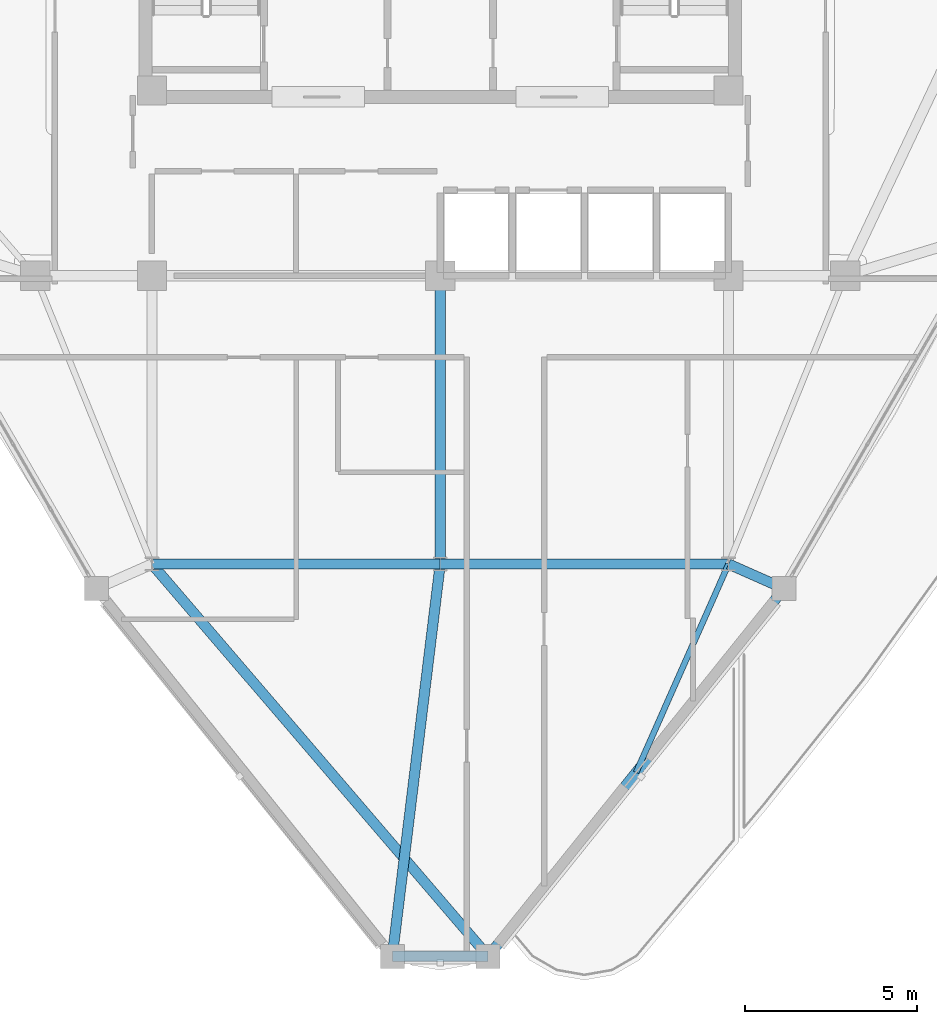
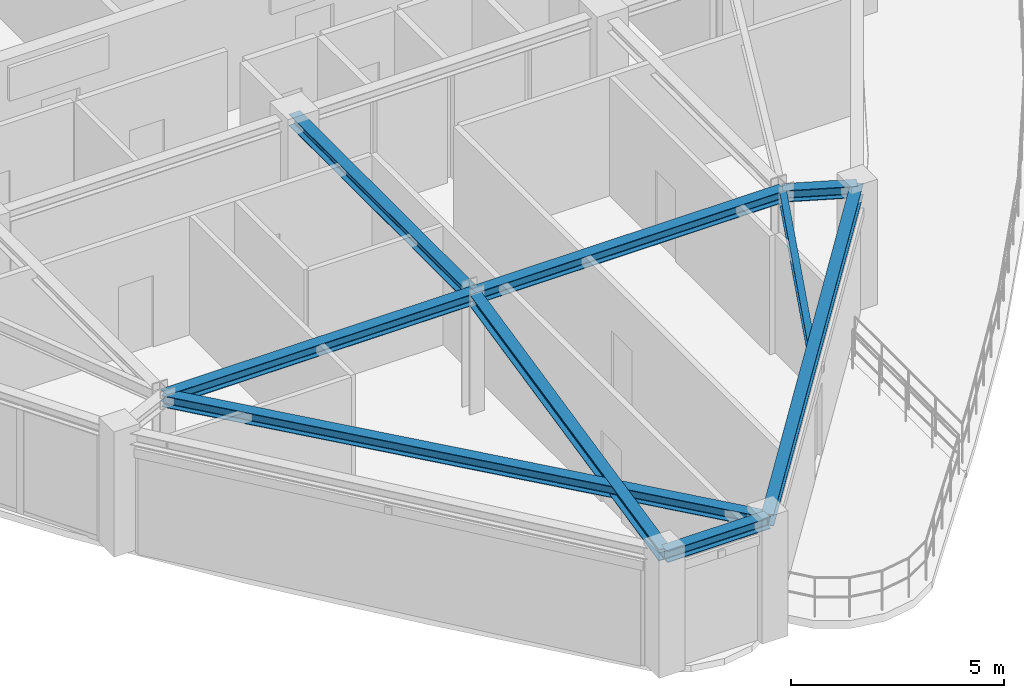
# One storey, part 3 of 16: 9 beams.
"""IFC4 building model written with IfcOpenShell, lengths in metres."""

from ifc_helpers import new_model, si_unit, derived_unit, direction, frame, origin, origin_2d, place, context, subcontext, project, spatial, i_section, extrude, source, transform, mapped, material, material_profile, profile_set, type_object, element, save


model = new_model("IFC4")

# Units and contexts
model_context = context("Model", 3, precision=1e-05, world=origin(), true_north=direction((0.0, 1.0)))
body_context = subcontext(model_context, "Body", "Model", "MODEL_VIEW")
ifc_project = project(units=[si_unit("LENGTHUNIT", "METRE"), si_unit("AREAUNIT", "SQUARE_METRE"), si_unit("VOLUMEUNIT", "CUBIC_METRE"), si_unit("PLANEANGLEUNIT", "RADIAN"), si_unit("MASSUNIT", "GRAM", prefix="KILO"), derived_unit("THERMALTRANSMITTANCEUNIT", [(si_unit("POWERUNIT", "WATT"), 1), (si_unit("LENGTHUNIT", "METRE"), -2), (si_unit("THERMODYNAMICTEMPERATUREUNIT", "KELVIN"), -1)])], contexts=[model_context])

# Site, building, storey
site_placement = place(None, origin())
site = spatial("IfcSite", under=ifc_project, at=site_placement, CompositionType="ELEMENT")
building_placement = place(site_placement, origin())
building = spatial("IfcBuilding", under=site, at=building_placement, Name="Korsvarv Bourse and Concert Hall", CompositionType="ELEMENT")
storey_placement = place(building_placement, frame((0.0, 0.0, 243.0)))
storey = spatial("IfcBuildingStorey", under=building, at=storey_placement, Name="L63", CompositionType="ELEMENT", Elevation=243.0)

# Beams
ifc_material = material(Name="Steel S355", Category="steel")
ifc_material_profile_1 = material_profile(ifc_material, i_section(OverallWidth=0.300048828125, OverallDepth=0.330078125, WebThickness=0.009521484375, FlangeThickness=0.0166015625, FilletRadius=0.02099609375, at=origin_2d()), Name="HEA 340")
ifc_profile_set_1 = profile_set([ifc_material_profile_1], Name="Steel S355")
beam_type_1 = type_object("IfcBeamType", Name="BM-HEA340", PredefinedType="BEAM", material=ifc_profile_set_1)
shared_shape_1 = source(origin(), body_context, "Body", "SweptSolid", [
    extrude(i_section(OverallWidth=0.300048828125, OverallDepth=0.330078125, WebThickness=0.009521484375, FlangeThickness=0.0166015625, FilletRadius=0.02099609375, at=origin_2d()), origin(), (0.0, 0.0, 1.0), 8.39990234375),
])
for number, where, z_axis, x_axis, name in (
    (1, (27.60009765625, 24.0, 3.2451171875), (1.0, 0.0, 0.0), (0.0, 1.0, 0.0), "L63 beam B-12"),
    (2, (36.0, 24.0, 3.2451171875), (1.0, 0.0, 0.0), (0.0, 1.0, 0.0), "L63 beam B-12"),
    (3, (36.0, 24.0, 3.2451171875), (0.0, 1.0, 0.0), (-1.0, 0.0, 0.0), "L63 beam B-12"),
):
    element("IfcBeam", number, at=place(storey_placement, frame(where, z_axis=z_axis, x_axis=x_axis)), inside=storey, type_object=beam_type_1, Name=name, PredefinedType="BEAM", context=body_context, shape_type="MappedRepresentation", body=[
        mapped(shared_shape_1, transform((0.0, 0.0, 0.0), scale=1.0)),
    ])
shared_shape_2 = source(origin(), body_context, "Body", "SweptSolid", [
    extrude(i_section(OverallWidth=0.300048828125, OverallDepth=0.330078125, WebThickness=0.009521484375, FlangeThickness=0.0166015625, FilletRadius=0.02099609375, at=origin_2d()), origin(), (0.0, 0.0, 1.0), 2.794921875),
])
beam_1_placement = place(storey_placement, frame((34.6025390625, 12.572265625, 3.2451171875), z_axis=(1.0, 0.0, 0.0), x_axis=(0.0, 1.0, 0.0)))
element("IfcBeam", 4, at=beam_1_placement, inside=storey, type_object=beam_type_1, Name="L63 beam B-12", PredefinedType="BEAM", context=body_context, shape_type="MappedRepresentation", body=[
    mapped(shared_shape_2, transform((0.0, 0.0, 0.0), scale=1.0)),
])
shared_shape_3 = source(origin(), body_context, "Body", "SweptSolid", [
    extrude(i_section(OverallWidth=0.300048828125, OverallDepth=0.330078125, WebThickness=0.009521484375, FlangeThickness=0.0166015625, FilletRadius=0.02099609375, at=origin_2d()), origin(), (0.0, 0.0, 1.0), 13.74853515625),
])
beam_2_placement = place(storey_placement, frame((37.3974609375, 12.572265625, 3.2451171875), z_axis=(0.626910047977, 0.77909164528, 0.0), x_axis=(-0.77909164528, 0.626910047977, 0.0)))
element("IfcBeam", 5, at=beam_2_placement, inside=storey, type_object=beam_type_1, Name="L63 beam B-12", PredefinedType="BEAM", context=body_context, shape_type="MappedRepresentation", body=[
    mapped(shared_shape_3, transform((0.0, 0.0, 0.0), scale=1.0)),
])
shared_shape_4 = source(origin(), body_context, "Body", "SweptSolid", [
    extrude(i_section(OverallWidth=0.300048828125, OverallDepth=0.330078125, WebThickness=0.009521484375, FlangeThickness=0.0166015625, FilletRadius=0.02099609375, at=origin_2d()), origin(), (0.0, 0.0, 1.0), 1.768310546875),
])
beam_3_placement = place(storey_placement, frame((46.0166015625, 23.28369140625, 3.2451171875), z_axis=(-0.914277809645, 0.405087751963, 0.0), x_axis=(-0.405087751963, -0.914277809645, 0.0)))
element("IfcBeam", 6, at=beam_3_placement, inside=storey, type_object=beam_type_1, Name="L63 beam B-12", PredefinedType="BEAM", context=body_context, shape_type="MappedRepresentation", body=[
    mapped(shared_shape_4, transform((0.0, 0.0, 0.0), scale=1.0)),
])
shared_shape_5 = source(origin(), body_context, "Body", "SweptSolid", [
    extrude(i_section(OverallWidth=0.300048828125, OverallDepth=0.330078125, WebThickness=0.009521484375, FlangeThickness=0.0166015625, FilletRadius=0.02099609375, at=origin_2d()), origin(), (0.0, 0.0, 1.0), 11.512939453125),
])
beam_4_placement = place(storey_placement, frame((34.6025390625, 12.572265625, 3.2451171875), z_axis=(0.121382575377, 0.992605798086, 0.0), x_axis=(-0.992605798086, 0.121382575377, 0.0)))
element("IfcBeam", 7, at=beam_4_placement, inside=storey, type_object=beam_type_1, Name="L63 beam B-12", PredefinedType="BEAM", context=body_context, shape_type="MappedRepresentation", body=[
    mapped(shared_shape_5, transform((0.0, 0.0, 0.0), scale=1.0)),
])
shared_shape_6 = source(origin(), body_context, "Body", "SweptSolid", [
    extrude(i_section(OverallWidth=0.300048828125, OverallDepth=0.330078125, WebThickness=0.009521484375, FlangeThickness=0.0166015625, FilletRadius=0.02099609375, at=origin_2d()), origin(), (0.0, 0.0, 1.0), 15.052734375),
])
beam_5_placement = place(storey_placement, frame((37.3974609375, 12.572265625, 3.2451171875), z_axis=(-0.650874182618, 0.75918561525, 0.0), x_axis=(-0.75918561525, -0.650874182618, 0.0)))
element("IfcBeam", 8, at=beam_5_placement, inside=storey, type_object=beam_type_1, Name="L63 beam B-12", PredefinedType="BEAM", context=body_context, shape_type="MappedRepresentation", body=[
    mapped(shared_shape_6, transform((0.0, 0.0, 0.0), scale=1.0)),
])
ifc_material_profile_2 = material_profile(ifc_material, i_section(OverallWidth=0.169921875, OverallDepth=0.360107421875, WebThickness=0.008056640625, FlangeThickness=0.0126953125, FilletRadius=0.01806640625, at=origin_2d()), Name="IPE 360")
ifc_profile_set_2 = profile_set([ifc_material_profile_2], Name="Steel S355")
beam_type_2 = type_object("IfcBeamType", Name="BM-IPE360", PredefinedType="JOIST", material=ifc_profile_set_2)
shared_shape_7 = source(origin(), body_context, "Body", "SweptSolid", [
    extrude(i_section(OverallWidth=0.169921875, OverallDepth=0.360107421875, WebThickness=0.008056640625, FlangeThickness=0.0126953125, FilletRadius=0.01806640625, at=origin_2d()), origin(), (0.0, 0.0, 1.0), 6.642578125),
])
beam_6_placement = place(storey_placement, frame((41.706787109375, 17.927978515625, 3.22998046875), z_axis=(0.405439253251, 0.914121989629, 0.0), x_axis=(-0.914121989629, 0.405439253251, 0.0)))
element("IfcBeam", 9, at=beam_6_placement, inside=storey, type_object=beam_type_2, Name="L63 beam J-06", PredefinedType="JOIST", context=body_context, shape_type="MappedRepresentation", body=[
    mapped(shared_shape_7, transform((0.0, 0.0, 0.0), scale=1.0)),
])

save(model, "model.ifc")
